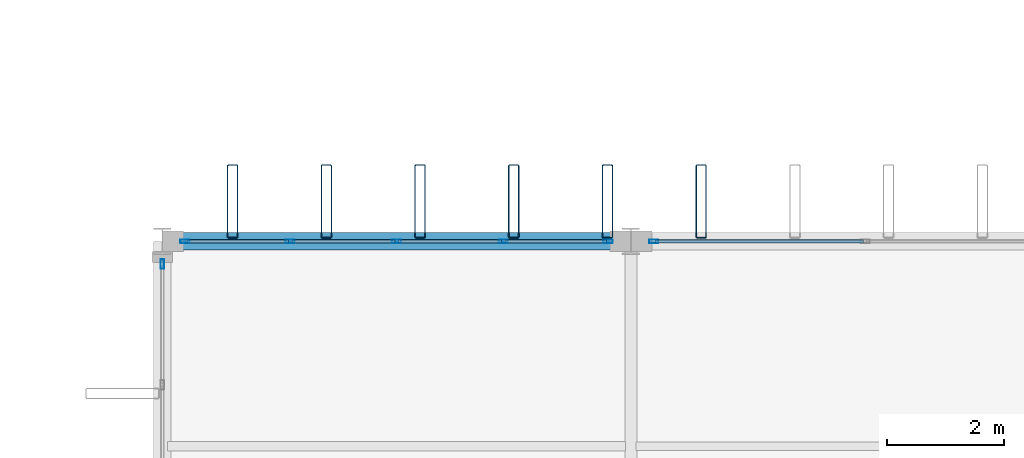
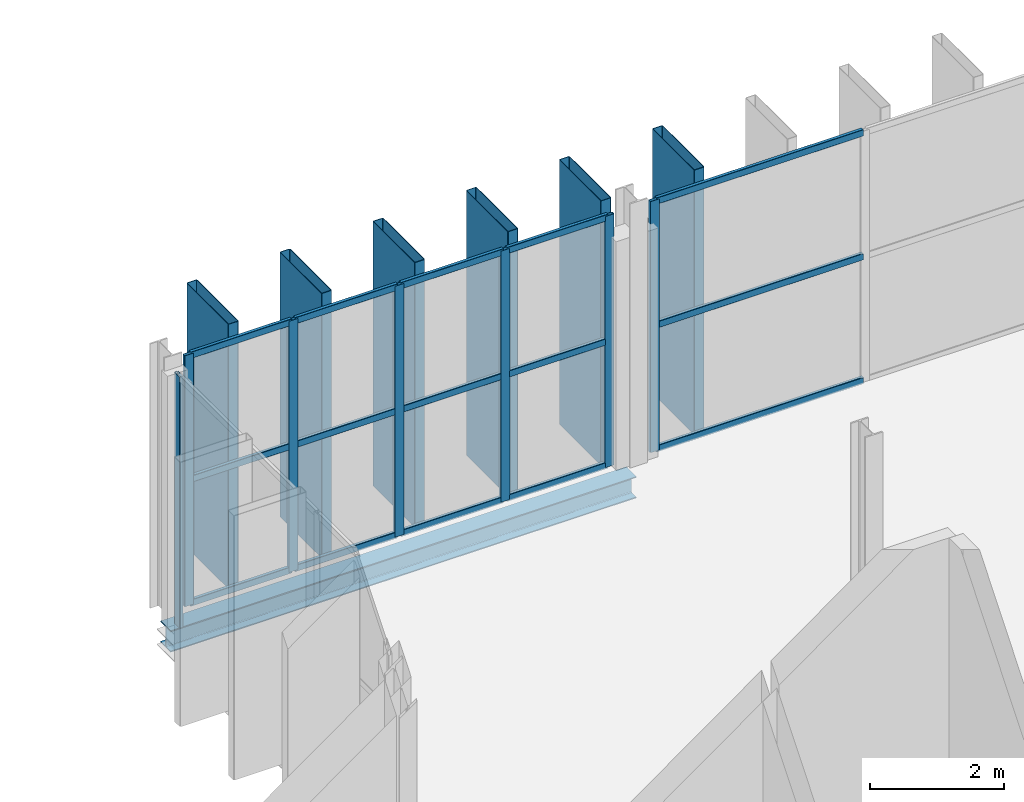
# One storey, part 40 of 120: 28 members, 1 beam, 3 elements without a shape of their own.
"""IFC4 building model written with IfcOpenShell, lengths in metres."""

from ifc_helpers import new_model, si_unit, direction, frame, origin, origin_2d, place, context, subcontext, project, spatial, hollow_rectangle, i_section, extrude, material, layer, layer_set, material_profile, profile_set, type_object, element, aggregate, save


model = new_model("IFC4")

# Units and contexts
model_context = context("Model", 3, precision=1e-05, world=origin(), true_north=direction((0.0, 1.0)))
body_context = subcontext(model_context, "Body", "Model", "MODEL_VIEW")
ifc_project = project(units=[si_unit("LENGTHUNIT", "METRE"), si_unit("AREAUNIT", "SQUARE_METRE"), si_unit("VOLUMEUNIT", "CUBIC_METRE"), si_unit("PLANEANGLEUNIT", "RADIAN"), si_unit("MASSUNIT", "GRAM", prefix="KILO")], contexts=[model_context])

# Site, building, storey
site_placement = place(None, origin())
site = spatial("IfcSite", under=ifc_project, at=site_placement, CompositionType="ELEMENT")
building_placement = place(site_placement, origin())
building = spatial("IfcBuilding", under=site, at=building_placement, Name="Vekula Escarpment Museum", CompositionType="ELEMENT")
storey_placement = place(building_placement, frame((0.0, 0.0, 13.199951171875)))
storey = spatial("IfcBuildingStorey", under=building, at=storey_placement, Name="L03", CompositionType="ELEMENT", Elevation=13.199951171875)

# Beam
ifc_material_1 = material(Name="Steel S355", Category="steel")
ifc_material_profile_1 = material_profile(ifc_material_1, i_section(OverallWidth=0.300048828125, OverallDepth=0.389892578125, WebThickness=0.010986328125, FlangeThickness=0.01904296875, FilletRadius=0.027099609375, at=origin_2d()), Name="HEA 400")
ifc_profile_set_1 = profile_set([ifc_material_profile_1], Name="Steel S355")
beam_type = type_object("IfcBeamType", Name="BM-SPAN-HEA400", PredefinedType="SPANDREL", material=ifc_profile_set_1)
beam_placement = place(storey_placement, frame((70.0, 90.39990234375, -0.445068359375), z_axis=(1.0, 0.0, 0.0), x_axis=(0.0, 1.0, 0.0)))
element("IfcBeam", 1, at=beam_placement, inside=storey, type_object=beam_type, Name="Beam X L03 1416", PredefinedType="SPANDREL", context=body_context, shape_type="SweptSolid", body=[
    extrude(i_section(OverallWidth=0.300048828125, OverallDepth=0.389892578125, WebThickness=0.010986328125, FlangeThickness=0.01904296875, FilletRadius=0.027099609375, at=origin_2d()), origin(), (0.0, 0.0, 1.0), 8.0),
])

# Curtain wall, member
ifc_material_2 = material(Name="Aluminium thermally broken framing", Category="aluminium")
ifc_layer_1 = layer(ifc_material_2, 0.179931640625)
ifc_layer_set_1 = layer_set([ifc_layer_1], Name="Aluminium thermally broken framing")
curtain_wall_type_1 = type_object("IfcCurtainWallType", Name="CW-SYS-08", PredefinedType="NOTDEFINED", material=ifc_layer_set_1)
curtain_wall_1_placement = place(storey_placement, origin())
curtain_wall_1 = element("IfcCurtainWall", 2, at=curtain_wall_1_placement, inside=storey, type_object=curtain_wall_type_1, Name="Curtain Wall CW-L03-128", PredefinedType="NOTDEFINED")
ifc_material_3 = material(Name="Aluminium anodized mullion", Category="aluminium")
ifc_material_profile_2 = material_profile(ifc_material_3, hollow_rectangle(XDim=0.06005859375, YDim=0.159912109375, WallThickness=0.00390625, InnerFilletRadius=0.00390625, OuterFilletRadius=0.008056640625, at=origin_2d()), Name="ALU 160x60x4")
ifc_profile_set_2 = profile_set([ifc_material_profile_2], Name="Aluminium anodized mullion")
member_type_1 = type_object("IfcMemberType", Name="CW-MUL-160", PredefinedType="MULLION", material=ifc_profile_set_2)
member_1_placement = place(storey_placement, frame((78.389892578125, 90.39990234375, 0.0), z_axis=(0.0, 0.0, 1.0), x_axis=(0.0, -1.0, 0.0)))
member_1 = element("IfcMember", 3, at=member_1_placement, type_object=member_type_1, Name="CW-08 mullion 3", PredefinedType="MULLION", context=body_context, shape_type="SweptSolid", body=[
    extrude(hollow_rectangle(XDim=0.06005859375, YDim=0.159912109375, WallThickness=0.00390625, InnerFilletRadius=0.00390625, OuterFilletRadius=0.008056640625, at=origin_2d()), origin(), (0.0, 0.0, 1.0), 4.56005859375),
])

# Curtain wall, members
ifc_material_4 = material(Name="Aluminium thermally broken framing", Category="aluminium")
ifc_layer_2 = layer(ifc_material_4, 0.14990234375)
ifc_layer_set_2 = layer_set([ifc_layer_2], Name="Aluminium thermally broken framing")
curtain_wall_type_2 = type_object("IfcCurtainWallType", Name="CW-SYS-09", PredefinedType="NOTDEFINED", material=ifc_layer_set_2)
curtain_wall_2_placement = place(storey_placement, origin())
curtain_wall_2 = element("IfcCurtainWall", 4, at=curtain_wall_2_placement, inside=storey, type_object=curtain_wall_type_2, Name="Curtain Wall CW-L03-129", PredefinedType="NOTDEFINED")
member_2_placement = place(storey_placement, frame((77.610107421875, 90.39990234375, 0.0), z_axis=(0.0, 0.0, 1.0), x_axis=(0.0, -1.0, 0.0)))
member_2 = element("IfcMember", 5, at=member_2_placement, type_object=member_type_1, Name="CW-09 mullion 1", PredefinedType="MULLION", context=body_context, shape_type="SweptSolid", body=[
    extrude(hollow_rectangle(XDim=0.06005859375, YDim=0.159912109375, WallThickness=0.00390625, InnerFilletRadius=0.00390625, OuterFilletRadius=0.008056640625, at=origin_2d()), origin(), (0.0, 0.0, 1.0), 4.56005859375),
])
member_3_placement = place(storey_placement, frame((75.820068359375, 90.39990234375, 0.0), z_axis=(0.0, 0.0, 1.0), x_axis=(0.0, -1.0, 0.0)))
member_3 = element("IfcMember", 6, at=member_3_placement, type_object=member_type_1, Name="CW-09 mullion 2", PredefinedType="MULLION", context=body_context, shape_type="SweptSolid", body=[
    extrude(hollow_rectangle(XDim=0.06005859375, YDim=0.159912109375, WallThickness=0.00390625, InnerFilletRadius=0.00390625, OuterFilletRadius=0.008056640625, at=origin_2d()), origin(), (0.0, 0.0, 1.0), 4.56005859375),
])
member_4_placement = place(storey_placement, frame((74.0, 90.39990234375, 0.0), z_axis=(0.0, 0.0, 1.0), x_axis=(0.0, -1.0, 0.0)))
member_4 = element("IfcMember", 7, at=member_4_placement, type_object=member_type_1, Name="CW-09 mullion 3", PredefinedType="MULLION", context=body_context, shape_type="SweptSolid", body=[
    extrude(hollow_rectangle(XDim=0.06005859375, YDim=0.159912109375, WallThickness=0.00390625, InnerFilletRadius=0.00390625, OuterFilletRadius=0.008056640625, at=origin_2d()), origin(), (0.0, 0.0, 1.0), 4.56005859375),
])
member_5_placement = place(storey_placement, frame((72.179931640625, 90.39990234375, 0.0), z_axis=(0.0, 0.0, 1.0), x_axis=(0.0, -1.0, 0.0)))
member_5 = element("IfcMember", 8, at=member_5_placement, type_object=member_type_1, Name="CW-09 mullion 4", PredefinedType="MULLION", context=body_context, shape_type="SweptSolid", body=[
    extrude(hollow_rectangle(XDim=0.06005859375, YDim=0.159912109375, WallThickness=0.00390625, InnerFilletRadius=0.00390625, OuterFilletRadius=0.008056640625, at=origin_2d()), origin(), (0.0, 0.0, 1.0), 4.56005859375),
])
member_6_placement = place(storey_placement, frame((70.389892578125, 90.39990234375, 0.0), z_axis=(0.0, 0.0, 1.0), x_axis=(0.0, -1.0, 0.0)))
member_6 = element("IfcMember", 9, at=member_6_placement, type_object=member_type_1, Name="CW-09 mullion 5", PredefinedType="MULLION", context=body_context, shape_type="SweptSolid", body=[
    extrude(hollow_rectangle(XDim=0.06005859375, YDim=0.159912109375, WallThickness=0.00390625, InnerFilletRadius=0.00390625, OuterFilletRadius=0.008056640625, at=origin_2d()), origin(), (0.0, 0.0, 1.0), 4.56005859375),
])

# Curtain wall, member
ifc_material_5 = material(Name="Aluminium thermally broken framing", Category="aluminium")
ifc_layer_3 = layer(ifc_material_5, 0.169921875)
ifc_layer_set_3 = layer_set([ifc_layer_3], Name="Aluminium thermally broken framing")
curtain_wall_type_3 = type_object("IfcCurtainWallType", Name="CW-SYS-10", PredefinedType="NOTDEFINED", material=ifc_layer_set_3)
curtain_wall_3_placement = place(storey_placement, origin())
curtain_wall_3 = element("IfcCurtainWall", 10, at=curtain_wall_3_placement, inside=storey, type_object=curtain_wall_type_3, Name="Curtain Wall CW-L03-130", PredefinedType="NOTDEFINED")
member_7_placement = place(storey_placement, frame((70.0, 90.010009765625, 0.0), z_axis=(0.0, 0.0, 1.0), x_axis=(1.0, 0.0, 0.0)))
member_7 = element("IfcMember", 11, at=member_7_placement, type_object=member_type_1, Name="CW-10 mullion 1", PredefinedType="MULLION", context=body_context, shape_type="SweptSolid", body=[
    extrude(hollow_rectangle(XDim=0.06005859375, YDim=0.159912109375, WallThickness=0.00390625, InnerFilletRadius=0.00390625, OuterFilletRadius=0.008056640625, at=origin_2d()), origin(), (0.0, 0.0, 1.0), 4.56005859375),
])
aggregate(curtain_wall_3, [member_7])

# Member
ifc_material_6 = material(Name="Aluminium anodized transom", Category="aluminium")
ifc_material_profile_3 = material_profile(ifc_material_6, hollow_rectangle(XDim=0.06005859375, YDim=0.1201171875, WallThickness=0.00390625, InnerFilletRadius=0.00390625, OuterFilletRadius=0.008056640625, at=origin_2d()), Name="ALU 120x60x4")
ifc_profile_set_3 = profile_set([ifc_material_profile_3], Name="Aluminium anodized transom")
member_type_2 = type_object("IfcMemberType", Name="CW-TRN-120", PredefinedType="USERDEFINED", material=ifc_profile_set_3)
member_8_placement = place(storey_placement, frame((81.969970703125, 90.39990234375, 0.030029296875), z_axis=(-1.0, 0.0, 0.0), x_axis=(0.0, -1.0, 0.0)))
member_8 = element("IfcMember", 12, at=member_8_placement, type_object=member_type_2, Name="CW-08 transom 2.1", ObjectType="TRANSOM", PredefinedType="USERDEFINED", context=body_context, shape_type="SweptSolid", body=[
    extrude(hollow_rectangle(XDim=0.06005859375, YDim=0.1201171875, WallThickness=0.00390625, InnerFilletRadius=0.00390625, OuterFilletRadius=0.008056640625, at=origin_2d()), origin(), (0.0, 0.0, 1.0), 3.550048828125),
])

member_9_placement = place(storey_placement, frame((81.969970703125, 90.39990234375, 2.280029296875), z_axis=(-1.0, 0.0, 0.0), x_axis=(0.0, -1.0, 0.0)))
member_9 = element("IfcMember", 13, at=member_9_placement, type_object=member_type_2, Name="CW-08 transom 2.2", ObjectType="TRANSOM", PredefinedType="USERDEFINED", context=body_context, shape_type="SweptSolid", body=[
    extrude(hollow_rectangle(XDim=0.06005859375, YDim=0.1201171875, WallThickness=0.00390625, InnerFilletRadius=0.00390625, OuterFilletRadius=0.008056640625, at=origin_2d()), origin(), (0.0, 0.0, 1.0), 3.550048828125),
])

member_10_placement = place(storey_placement, frame((81.969970703125, 90.39990234375, 4.530029296875), z_axis=(-1.0, 0.0, 0.0), x_axis=(0.0, -1.0, 0.0)))
member_10 = element("IfcMember", 14, at=member_10_placement, type_object=member_type_2, Name="CW-08 transom 2.3", ObjectType="TRANSOM", PredefinedType="USERDEFINED", context=body_context, shape_type="SweptSolid", body=[
    extrude(hollow_rectangle(XDim=0.06005859375, YDim=0.1201171875, WallThickness=0.00390625, InnerFilletRadius=0.00390625, OuterFilletRadius=0.008056640625, at=origin_2d()), origin(), (0.0, 0.0, 1.0), 3.550048828125),
])

aggregate(curtain_wall_1, [member_1, member_8, member_9, member_10])

member_11_placement = place(storey_placement, frame((77.580078125, 90.39990234375, 0.030029296875), z_axis=(-1.0, 0.0, 0.0), x_axis=(0.0, -1.0, 0.0)))
member_11 = element("IfcMember", 15, at=member_11_placement, type_object=member_type_2, Name="CW-09 transom 1.1", ObjectType="TRANSOM", PredefinedType="USERDEFINED", context=body_context, shape_type="SweptSolid", body=[
    extrude(hollow_rectangle(XDim=0.06005859375, YDim=0.1201171875, WallThickness=0.00390625, InnerFilletRadius=0.00390625, OuterFilletRadius=0.008056640625, at=origin_2d()), origin(), (0.0, 0.0, 1.0), 1.72998046875),
])

member_12_placement = place(storey_placement, frame((77.580078125, 90.39990234375, 2.280029296875), z_axis=(-1.0, 0.0, 0.0), x_axis=(0.0, -1.0, 0.0)))
member_12 = element("IfcMember", 16, at=member_12_placement, type_object=member_type_2, Name="CW-09 transom 1.2", ObjectType="TRANSOM", PredefinedType="USERDEFINED", context=body_context, shape_type="SweptSolid", body=[
    extrude(hollow_rectangle(XDim=0.06005859375, YDim=0.1201171875, WallThickness=0.00390625, InnerFilletRadius=0.00390625, OuterFilletRadius=0.008056640625, at=origin_2d()), origin(), (0.0, 0.0, 1.0), 1.72998046875),
])

member_13_placement = place(storey_placement, frame((77.580078125, 90.39990234375, 4.530029296875), z_axis=(-1.0, 0.0, 0.0), x_axis=(0.0, -1.0, 0.0)))
member_13 = element("IfcMember", 17, at=member_13_placement, type_object=member_type_2, Name="CW-09 transom 1.3", ObjectType="TRANSOM", PredefinedType="USERDEFINED", context=body_context, shape_type="SweptSolid", body=[
    extrude(hollow_rectangle(XDim=0.06005859375, YDim=0.1201171875, WallThickness=0.00390625, InnerFilletRadius=0.00390625, OuterFilletRadius=0.008056640625, at=origin_2d()), origin(), (0.0, 0.0, 1.0), 1.72998046875),
])

member_14_placement = place(storey_placement, frame((75.7900390625, 90.39990234375, 0.030029296875), z_axis=(-1.0, 0.0, 0.0), x_axis=(0.0, -1.0, 0.0)))
member_14 = element("IfcMember", 18, at=member_14_placement, type_object=member_type_2, Name="CW-09 transom 2.1", ObjectType="TRANSOM", PredefinedType="USERDEFINED", context=body_context, shape_type="SweptSolid", body=[
    extrude(hollow_rectangle(XDim=0.06005859375, YDim=0.1201171875, WallThickness=0.00390625, InnerFilletRadius=0.00390625, OuterFilletRadius=0.008056640625, at=origin_2d()), origin(), (0.0, 0.0, 1.0), 1.760009765625),
])

member_15_placement = place(storey_placement, frame((75.7900390625, 90.39990234375, 2.280029296875), z_axis=(-1.0, 0.0, 0.0), x_axis=(0.0, -1.0, 0.0)))
member_15 = element("IfcMember", 19, at=member_15_placement, type_object=member_type_2, Name="CW-09 transom 2.2", ObjectType="TRANSOM", PredefinedType="USERDEFINED", context=body_context, shape_type="SweptSolid", body=[
    extrude(hollow_rectangle(XDim=0.06005859375, YDim=0.1201171875, WallThickness=0.00390625, InnerFilletRadius=0.00390625, OuterFilletRadius=0.008056640625, at=origin_2d()), origin(), (0.0, 0.0, 1.0), 1.760009765625),
])

member_16_placement = place(storey_placement, frame((75.7900390625, 90.39990234375, 4.530029296875), z_axis=(-1.0, 0.0, 0.0), x_axis=(0.0, -1.0, 0.0)))
member_16 = element("IfcMember", 20, at=member_16_placement, type_object=member_type_2, Name="CW-09 transom 2.3", ObjectType="TRANSOM", PredefinedType="USERDEFINED", context=body_context, shape_type="SweptSolid", body=[
    extrude(hollow_rectangle(XDim=0.06005859375, YDim=0.1201171875, WallThickness=0.00390625, InnerFilletRadius=0.00390625, OuterFilletRadius=0.008056640625, at=origin_2d()), origin(), (0.0, 0.0, 1.0), 1.760009765625),
])

member_17_placement = place(storey_placement, frame((73.969970703125, 90.39990234375, 0.030029296875), z_axis=(-1.0, 0.0, 0.0), x_axis=(0.0, -1.0, 0.0)))
member_17 = element("IfcMember", 21, at=member_17_placement, type_object=member_type_2, Name="CW-09 transom 3.1", ObjectType="TRANSOM", PredefinedType="USERDEFINED", context=body_context, shape_type="SweptSolid", body=[
    extrude(hollow_rectangle(XDim=0.06005859375, YDim=0.1201171875, WallThickness=0.00390625, InnerFilletRadius=0.00390625, OuterFilletRadius=0.008056640625, at=origin_2d()), origin(), (0.0, 0.0, 1.0), 1.760009765625),
])

member_18_placement = place(storey_placement, frame((73.969970703125, 90.39990234375, 2.280029296875), z_axis=(-1.0, 0.0, 0.0), x_axis=(0.0, -1.0, 0.0)))
member_18 = element("IfcMember", 22, at=member_18_placement, type_object=member_type_2, Name="CW-09 transom 3.2", ObjectType="TRANSOM", PredefinedType="USERDEFINED", context=body_context, shape_type="SweptSolid", body=[
    extrude(hollow_rectangle(XDim=0.06005859375, YDim=0.1201171875, WallThickness=0.00390625, InnerFilletRadius=0.00390625, OuterFilletRadius=0.008056640625, at=origin_2d()), origin(), (0.0, 0.0, 1.0), 1.760009765625),
])

member_19_placement = place(storey_placement, frame((73.969970703125, 90.39990234375, 4.530029296875), z_axis=(-1.0, 0.0, 0.0), x_axis=(0.0, -1.0, 0.0)))
member_19 = element("IfcMember", 23, at=member_19_placement, type_object=member_type_2, Name="CW-09 transom 3.3", ObjectType="TRANSOM", PredefinedType="USERDEFINED", context=body_context, shape_type="SweptSolid", body=[
    extrude(hollow_rectangle(XDim=0.06005859375, YDim=0.1201171875, WallThickness=0.00390625, InnerFilletRadius=0.00390625, OuterFilletRadius=0.008056640625, at=origin_2d()), origin(), (0.0, 0.0, 1.0), 1.760009765625),
])

member_20_placement = place(storey_placement, frame((72.14990234375, 90.39990234375, 0.030029296875), z_axis=(-1.0, 0.0, 0.0), x_axis=(0.0, -1.0, 0.0)))
member_20 = element("IfcMember", 24, at=member_20_placement, type_object=member_type_2, Name="CW-09 transom 4.1", ObjectType="TRANSOM", PredefinedType="USERDEFINED", context=body_context, shape_type="SweptSolid", body=[
    extrude(hollow_rectangle(XDim=0.06005859375, YDim=0.1201171875, WallThickness=0.00390625, InnerFilletRadius=0.00390625, OuterFilletRadius=0.008056640625, at=origin_2d()), origin(), (0.0, 0.0, 1.0), 1.72998046875),
])

member_21_placement = place(storey_placement, frame((72.14990234375, 90.39990234375, 2.280029296875), z_axis=(-1.0, 0.0, 0.0), x_axis=(0.0, -1.0, 0.0)))
member_21 = element("IfcMember", 25, at=member_21_placement, type_object=member_type_2, Name="CW-09 transom 4.2", ObjectType="TRANSOM", PredefinedType="USERDEFINED", context=body_context, shape_type="SweptSolid", body=[
    extrude(hollow_rectangle(XDim=0.06005859375, YDim=0.1201171875, WallThickness=0.00390625, InnerFilletRadius=0.00390625, OuterFilletRadius=0.008056640625, at=origin_2d()), origin(), (0.0, 0.0, 1.0), 1.72998046875),
])

member_22_placement = place(storey_placement, frame((72.14990234375, 90.39990234375, 4.530029296875), z_axis=(-1.0, 0.0, 0.0), x_axis=(0.0, -1.0, 0.0)))
member_22 = element("IfcMember", 26, at=member_22_placement, type_object=member_type_2, Name="CW-09 transom 4.3", ObjectType="TRANSOM", PredefinedType="USERDEFINED", context=body_context, shape_type="SweptSolid", body=[
    extrude(hollow_rectangle(XDim=0.06005859375, YDim=0.1201171875, WallThickness=0.00390625, InnerFilletRadius=0.00390625, OuterFilletRadius=0.008056640625, at=origin_2d()), origin(), (0.0, 0.0, 1.0), 1.72998046875),
])

aggregate(curtain_wall_2, [member_2, member_3, member_4, member_5, member_6, member_11, member_12, member_13, member_14, member_15, member_16, member_17, member_18, member_19, member_20, member_21, member_22])

# Members
ifc_material_7 = material(Name="Steel S355 weathered bronze solar fin", Category="steel")
ifc_material_profile_4 = material_profile(ifc_material_7, hollow_rectangle(XDim=0.179931640625, YDim=1.25, WallThickness=0.010009765625, InnerFilletRadius=0.010009765625, OuterFilletRadius=0.02001953125, at=origin_2d()), Name="RHS 1250x180x10")
ifc_profile_set_4 = profile_set([ifc_material_profile_4], Name="Steel S355 weathered bronze solar fin")
member_type_3 = type_object("IfcMemberType", Name="MB-SOLAR-FIN", PredefinedType="USERDEFINED", material=ifc_profile_set_4)
for number, where, z_axis, x_axis, name in (
    (27, (71.199951171875, 91.080078125, 0.0), (0.0, 0.0, 1.0), (1.0, 0.0, 0.0), "Great Hall Vertical Solar Fin 0133"),
    (28, (72.800048828125, 91.080078125, 0.0), (0.0, 0.0, 1.0), (1.0, 0.0, 0.0), "Great Hall Vertical Solar Fin 0138"),
    (29, (74.39990234375, 91.080078125, 0.0), (0.0, 0.0, 1.0), (1.0, 0.0, 0.0), "Great Hall Vertical Solar Fin 0143"),
    (30, (76.0, 91.080078125, 0.0), (0.0, 0.0, 1.0), (1.0, 0.0, 0.0), "Great Hall Vertical Solar Fin 0148"),
    (31, (77.60009765625, 91.080078125, 0.0), (0.0, 0.0, 1.0), (1.0, 0.0, 0.0), "Great Hall Vertical Solar Fin 0153"),
    (32, (79.199951171875, 91.080078125, 0.0), (0.0, 0.0, 1.0), (1.0, 0.0, 0.0), "Great Hall Vertical Solar Fin 0158"),
):
    element("IfcMember", number, at=place(storey_placement, frame(where, z_axis=z_axis, x_axis=x_axis)), inside=storey, type_object=member_type_3, Name=name, ObjectType="SOLAR FIN", PredefinedType="USERDEFINED", context=body_context, shape_type="SweptSolid", body=[
        extrude(hollow_rectangle(XDim=0.179931640625, YDim=1.25, WallThickness=0.010009765625, InnerFilletRadius=0.010009765625, OuterFilletRadius=0.02001953125, at=origin_2d()), origin(), (0.0, 0.0, 1.0), 4.800048828125),
    ])

save(model, "model.ifc")
